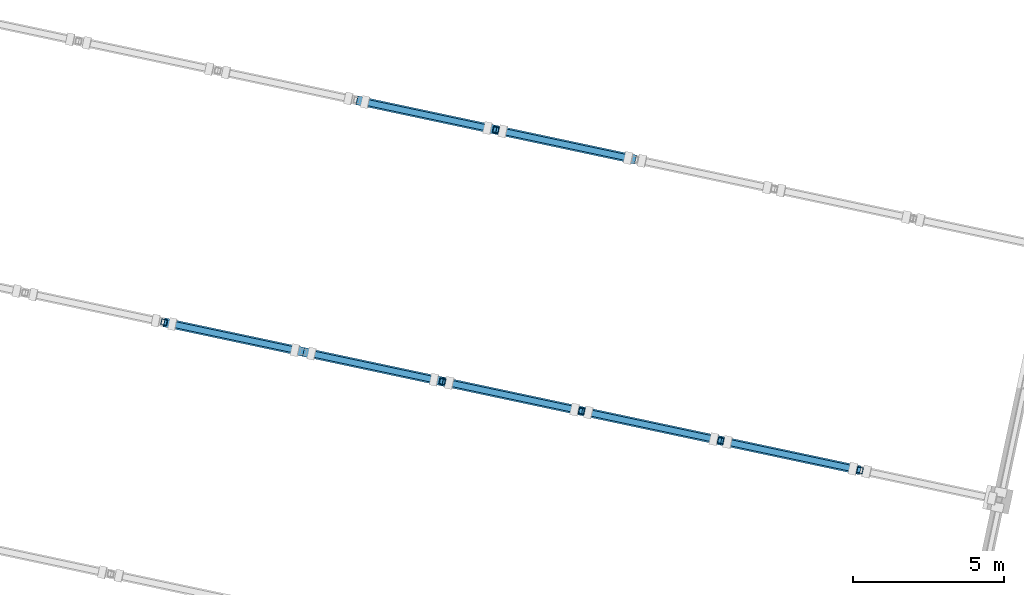
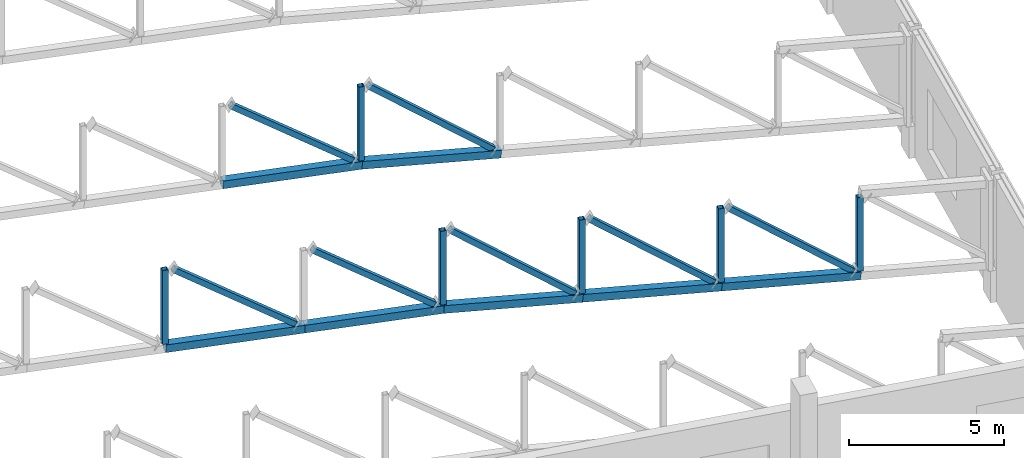
# One storey, part 62 of 182: 20 members.
"""IFC4 building model written with IfcOpenShell, lengths in metres."""

from ifc_helpers import new_model, si_unit, direction, frame, origin, origin_2d, place, context, subcontext, project, spatial, hollow_rectangle, extrude, material, material_profile, profile_set, type_object, element, save


model = new_model("IFC4")

# Units and contexts
model_context = context("Model", 3, precision=1e-05, world=origin(), true_north=direction((0.0, 1.0)))
body_context = subcontext(model_context, "Body", "Model", "MODEL_VIEW")
ifc_project = project(units=[si_unit("LENGTHUNIT", "METRE"), si_unit("AREAUNIT", "SQUARE_METRE"), si_unit("VOLUMEUNIT", "CUBIC_METRE"), si_unit("PLANEANGLEUNIT", "RADIAN"), si_unit("MASSUNIT", "GRAM", prefix="KILO")], contexts=[model_context])

# Site, building, storey
site_placement = place(None, origin())
site = spatial("IfcSite", under=ifc_project, at=site_placement, CompositionType="ELEMENT")
building_placement = place(site_placement, origin())
building = spatial("IfcBuilding", under=site, at=building_placement, Name="Okhra Congress Centre", CompositionType="ELEMENT")
storey_placement = place(building_placement, frame((0.0, 0.0, 7.199951171875)))
storey = spatial("IfcBuildingStorey", under=building, at=storey_placement, Name="L01", CompositionType="ELEMENT", Elevation=7.199951171875)

# Members
ifc_material = material(Name="Steel S355J2", Category="steel")
ifc_material_profile_1 = material_profile(ifc_material, hollow_rectangle(XDim=0.300048828125, YDim=0.300048828125, WallThickness=0.01611328125, at=origin_2d()), Name="RHS 300x300x16")
ifc_profile_set_1 = profile_set([ifc_material_profile_1], Name="Steel S355J2")
member_type_1 = type_object("IfcMemberType", Name="Steel truss chord RHS 300x300x16", PredefinedType="CHORD", material=ifc_profile_set_1)
member_1_placement = place(storey_placement, frame((229.30078125, 98.12548828125, 4.051025390625), z_axis=(0.976800887128, -0.207654484927, -0.052341587632), x_axis=(0.207939520185, 0.978141685005, 0.0)))
element("IfcMember", 1, at=member_1_placement, inside=storey, type_object=member_type_1, Name="Hall truss 2 bottom chord 7", PredefinedType="CHORD", context=body_context, shape_type="SweptSolid", body=[
    extrude(hollow_rectangle(XDim=0.300048828125, YDim=0.300048828125, WallThickness=0.01611328125, at=origin_2d()), origin(), (0.0, 0.0, 1.0), 4.706298828125),
])
member_2_placement = place(storey_placement, frame((233.89794921875, 97.148193359375, 3.8046875), z_axis=(0.976803265923, -0.207643963331, -0.052338935549), x_axis=(0.207928955205, 0.978143930916, 0.0)))
element("IfcMember", 2, at=member_2_placement, inside=storey, type_object=member_type_1, Name="Hall truss 2 bottom chord 8", PredefinedType="CHORD", context=body_context, shape_type="SweptSolid", body=[
    extrude(hollow_rectangle(XDim=0.300048828125, YDim=0.300048828125, WallThickness=0.01611328125, at=origin_2d()), origin(), (0.0, 0.0, 1.0), 4.70654296875),
])
member_3_placement = place(storey_placement, frame((238.495361328125, 96.1708984375, 3.558349609375), z_axis=(0.97085926347, -0.206339817972, -0.121885889477), x_axis=(0.20788981954, 0.978152249362, 0.0)))
element("IfcMember", 3, at=member_3_placement, inside=storey, type_object=member_type_1, Name="Hall truss 2 bottom chord 9", PredefinedType="CHORD", context=body_context, shape_type="SweptSolid", body=[
    extrude(hollow_rectangle(XDim=0.300048828125, YDim=0.300048828125, WallThickness=0.01611328125, at=origin_2d()), origin(), (0.0, 0.0, 1.0), 4.735107421875),
])
member_4_placement = place(storey_placement, frame((243.092529296875, 95.19384765625, 2.981201171875), z_axis=(0.970857994782, -0.206380147263, -0.12182770122), x_axis=(0.207928955205, 0.978143930916, 0.0)))
element("IfcMember", 4, at=member_4_placement, inside=storey, type_object=member_type_1, Name="Hall truss 2 bottom chord 10", PredefinedType="CHORD", context=body_context, shape_type="SweptSolid", body=[
    extrude(hollow_rectangle(XDim=0.300048828125, YDim=0.300048828125, WallThickness=0.01611328125, at=origin_2d()), origin(), (0.0, 0.0, 1.0), 4.7353515625),
])
member_5_placement = place(storey_placement, frame((247.68994140625, 94.216552734375, 2.404296875), z_axis=(0.97085926347, -0.206339817972, -0.121885889477), x_axis=(0.20788981954, 0.978152249362, 0.0)))
element("IfcMember", 5, at=member_5_placement, inside=storey, type_object=member_type_1, Name="Hall truss 2 bottom chord 11", PredefinedType="CHORD", context=body_context, shape_type="SweptSolid", body=[
    extrude(hollow_rectangle(XDim=0.300048828125, YDim=0.300048828125, WallThickness=0.01611328125, at=origin_2d()), origin(), (0.0, 0.0, 1.0), 4.735107421875),
])
member_6_placement = place(storey_placement, frame((235.665283203125, 105.46240234375, 3.8046875), z_axis=(0.9768114081, -0.207604846267, -0.052342151395), x_axis=(0.20788981954, 0.978152249362, 0.0)))
element("IfcMember", 6, at=member_6_placement, inside=storey, type_object=member_type_1, Name="Hall truss 3 bottom chord 8", PredefinedType="CHORD", context=body_context, shape_type="SweptSolid", body=[
    extrude(hollow_rectangle(XDim=0.300048828125, YDim=0.300048828125, WallThickness=0.01611328125, at=origin_2d()), origin(), (0.0, 0.0, 1.0), 4.706298828125),
])
member_7_placement = place(storey_placement, frame((240.262451171875, 104.4853515625, 3.558349609375), z_axis=(0.970851895595, -0.206378850729, -0.121878491912), x_axis=(0.207928955205, 0.978143930916, 0.0)))
element("IfcMember", 7, at=member_7_placement, inside=storey, type_object=member_type_1, Name="Hall truss 3 bottom chord 9", PredefinedType="CHORD", context=body_context, shape_type="SweptSolid", body=[
    extrude(hollow_rectangle(XDim=0.300048828125, YDim=0.300048828125, WallThickness=0.01611328125, at=origin_2d()), origin(), (0.0, 0.0, 1.0), 4.7353515625),
])
ifc_material_profile_2 = material_profile(ifc_material, hollow_rectangle(XDim=0.199951171875, YDim=0.199951171875, WallThickness=0.010009765625, at=origin_2d()), Name="RHS 200x200x10 diagonal")
ifc_profile_set_2 = profile_set([ifc_material_profile_2], Name="Steel S355J2")
member_type_2 = type_object("IfcMemberType", Name="Steel truss diagonal RHS 200x200x10", PredefinedType="BRACE", material=ifc_profile_set_2)
member_8_placement = place(storey_placement, frame((229.584228515625, 98.065185546875, 7.03857421875), z_axis=(0.788811773706, -0.167672674699, -0.591322128642), x_axis=(0.2079182829, 0.97814619952, 0.0)))
element("IfcMember", 8, at=member_8_placement, inside=storey, type_object=member_type_2, Name="Hall truss 2 diagonal 7", PredefinedType="BRACE", context=body_context, shape_type="SweptSolid", body=[
    extrude(hollow_rectangle(XDim=0.199951171875, YDim=0.199951171875, WallThickness=0.010009765625, at=origin_2d()), origin(), (0.0, 0.0, 1.0), 5.109375),
])
member_9_placement = place(storey_placement, frame((234.181640625, 97.087890625, 6.792236328125), z_axis=(0.788793721187, -0.167678994829, -0.591344417501), x_axis=(0.207930334102, 0.978143637796, 0.0)))
element("IfcMember", 9, at=member_9_placement, inside=storey, type_object=member_type_2, Name="Hall truss 2 diagonal 8", PredefinedType="BRACE", context=body_context, shape_type="SweptSolid", body=[
    extrude(hollow_rectangle(XDim=0.199951171875, YDim=0.199951171875, WallThickness=0.010009765625, at=origin_2d()), origin(), (0.0, 0.0, 1.0), 5.109130859375),
])
member_10_placement = place(storey_placement, frame((238.72900390625, 96.121337890625, 6.56640625), z_axis=(0.762448811516, -0.162081220514, -0.626419578059), x_axis=(0.207933444311, 0.978142976633, 0.0)))
element("IfcMember", 10, at=member_10_placement, inside=storey, type_object=member_type_2, Name="Hall truss 2 diagonal 9", PredefinedType="BRACE", context=body_context, shape_type="SweptSolid", body=[
    extrude(hollow_rectangle(XDim=0.199951171875, YDim=0.199951171875, WallThickness=0.010009765625, at=origin_2d()), origin(), (0.0, 0.0, 1.0), 5.41650390625),
])
member_11_placement = place(storey_placement, frame((243.326416015625, 95.14404296875, 5.9892578125), z_axis=(0.762435509445, -0.162042900175, -0.626445681955), x_axis=(0.207889878307, 0.978152236872, 0.0)))
element("IfcMember", 11, at=member_11_placement, inside=storey, type_object=member_type_2, Name="Hall truss 2 diagonal 10", PredefinedType="BRACE", context=body_context, shape_type="SweptSolid", body=[
    extrude(hollow_rectangle(XDim=0.199951171875, YDim=0.199951171875, WallThickness=0.010009765625, at=origin_2d()), origin(), (0.0, 0.0, 1.0), 5.416259765625),
])
member_12_placement = place(storey_placement, frame((247.923583984375, 94.1669921875, 5.412109375), z_axis=(0.762470338926, -0.162085796807, -0.626392190829), x_axis=(0.207933444311, 0.978142976633, 0.0)))
element("IfcMember", 12, at=member_12_placement, inside=storey, type_object=member_type_2, Name="Hall truss 2 diagonal 11", PredefinedType="BRACE", context=body_context, shape_type="SweptSolid", body=[
    extrude(hollow_rectangle(XDim=0.199951171875, YDim=0.199951171875, WallThickness=0.010009765625, at=origin_2d()), origin(), (0.0, 0.0, 1.0), 5.41650390625),
])
member_13_placement = place(storey_placement, frame((235.94873046875, 105.402099609375, 6.792236328125), z_axis=(0.788811773706, -0.167672674699, -0.591322128642), x_axis=(0.2079182829, 0.97814619952, 0.0)))
element("IfcMember", 13, at=member_13_placement, inside=storey, type_object=member_type_2, Name="Hall truss 3 diagonal 8", PredefinedType="BRACE", context=body_context, shape_type="SweptSolid", body=[
    extrude(hollow_rectangle(XDim=0.199951171875, YDim=0.199951171875, WallThickness=0.010009765625, at=origin_2d()), origin(), (0.0, 0.0, 1.0), 5.109375),
])
member_14_placement = place(storey_placement, frame((240.496337890625, 104.435546875, 6.56640625), z_axis=(0.762435509445, -0.162042900175, -0.626445681955), x_axis=(0.207889878307, 0.978152236872, 0.0)))
element("IfcMember", 14, at=member_14_placement, inside=storey, type_object=member_type_2, Name="Hall truss 3 diagonal 9", PredefinedType="BRACE", context=body_context, shape_type="SweptSolid", body=[
    extrude(hollow_rectangle(XDim=0.199951171875, YDim=0.199951171875, WallThickness=0.010009765625, at=origin_2d()), origin(), (0.0, 0.0, 1.0), 5.416259765625),
])
ifc_material_profile_3 = material_profile(ifc_material, hollow_rectangle(XDim=0.199951171875, YDim=0.199951171875, WallThickness=0.010009765625, at=origin_2d()), Name="RHS 200x200x10")
ifc_profile_set_3 = profile_set([ifc_material_profile_3], Name="Steel S355J2")
member_type_3 = type_object("IfcMemberType", Name="Steel truss post RHS 200x200x10", PredefinedType="POST", material=ifc_profile_set_3)
member_15_placement = place(storey_placement, frame((229.30078125, 98.12548828125, 4.201171875), z_axis=(0.0, 0.0, 1.0), x_axis=(0.978147600734, -0.207911690818, 0.0)))
element("IfcMember", 15, at=member_15_placement, inside=storey, type_object=member_type_3, Name="Hall truss 2 post 7", PredefinedType="POST", context=body_context, shape_type="SweptSolid", body=[
    extrude(hollow_rectangle(XDim=0.199951171875, YDim=0.199951171875, WallThickness=0.010009765625, at=origin_2d()), origin(), (0.0, 0.0, 1.0), 2.899658203125),
])
member_16_placement = place(storey_placement, frame((238.495361328125, 96.1708984375, 3.70947265625), z_axis=(0.0, 0.0, 1.0), x_axis=(0.978147600734, -0.207911690818, 0.0)))
element("IfcMember", 16, at=member_16_placement, inside=storey, type_object=member_type_3, Name="Hall truss 2 post 9", PredefinedType="POST", context=body_context, shape_type="SweptSolid", body=[
    extrude(hollow_rectangle(XDim=0.199951171875, YDim=0.199951171875, WallThickness=0.010009765625, at=origin_2d()), origin(), (0.0, 0.0, 1.0), 2.897705078125),
])
member_17_placement = place(storey_placement, frame((243.092529296875, 95.19384765625, 3.13232421875), z_axis=(0.0, 0.0, 1.0), x_axis=(0.978147600734, -0.207911690818, 0.0)))
element("IfcMember", 17, at=member_17_placement, inside=storey, type_object=member_type_3, Name="Hall truss 2 post 10", PredefinedType="POST", context=body_context, shape_type="SweptSolid", body=[
    extrude(hollow_rectangle(XDim=0.199951171875, YDim=0.199951171875, WallThickness=0.010009765625, at=origin_2d()), origin(), (0.0, 0.0, 1.0), 2.89794921875),
])
for number, where, z_axis, x_axis, name in (
    (18, (247.68994140625, 94.216552734375, 2.555419921875), (0.0, 0.0, 1.0), (0.978147600734, -0.207911690818, 0.0), "Hall truss 2 post 11"),
    (19, (252.287109375, 93.239501953125, 1.978271484375), (0.0, 0.0, 1.0), (0.978147600734, -0.207911690818, 0.0), "Hall truss 2 post 12"),
    (20, (240.262451171875, 104.4853515625, 3.70947265625), (0.0, 0.0, 1.0), (0.978147600734, -0.207911690818, 0.0), "Hall truss 3 post 9"),
):
    element("IfcMember", number, at=place(storey_placement, frame(where, z_axis=z_axis, x_axis=x_axis)), inside=storey, type_object=member_type_3, Name=name, PredefinedType="POST", context=body_context, shape_type="SweptSolid", body=[
        extrude(hollow_rectangle(XDim=0.199951171875, YDim=0.199951171875, WallThickness=0.010009765625, at=origin_2d()), origin(), (0.0, 0.0, 1.0), 2.897705078125),
    ])

save(model, "model.ifc")
